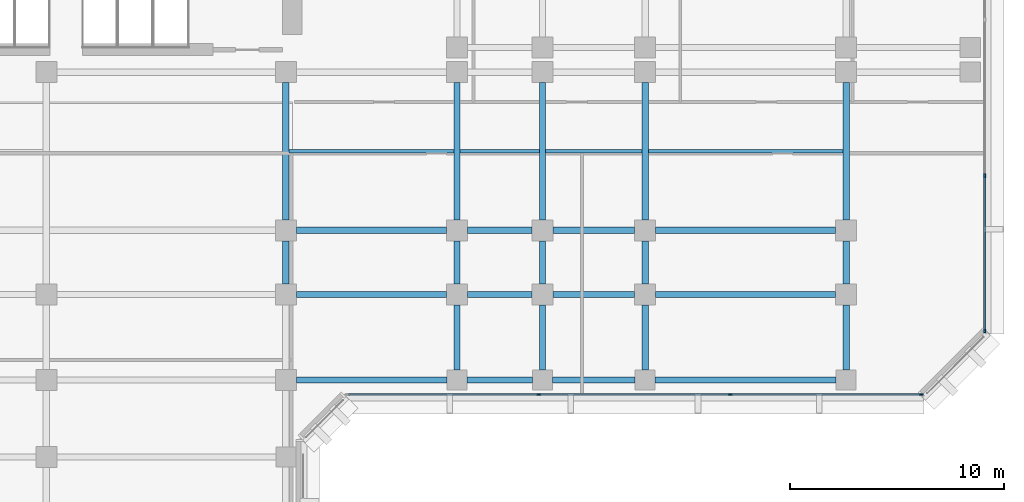
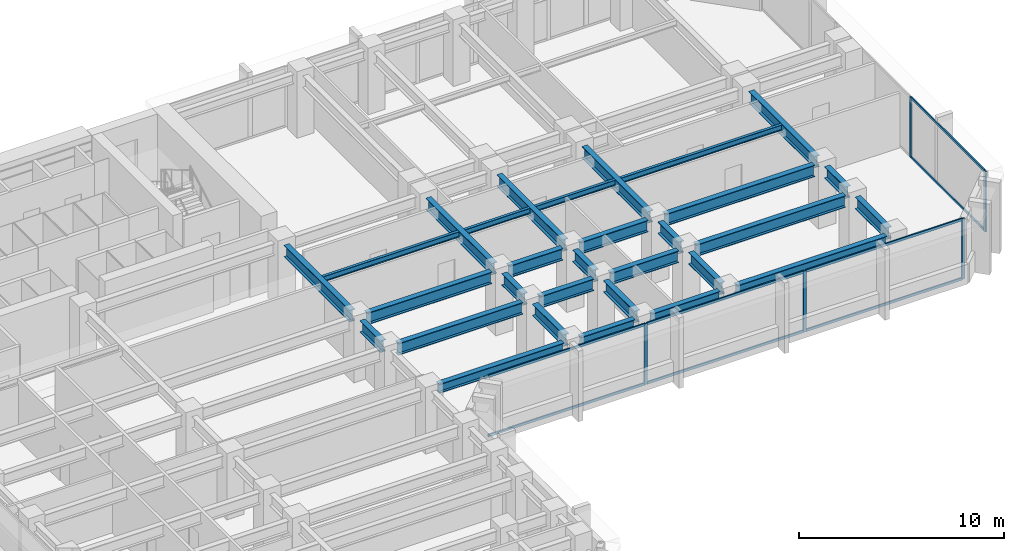
# One storey, part 3 of 13: 30 beams, 13 members, 2 elements without a shape of their own.
"""IFC4 building model written with IfcOpenShell, lengths in metres."""

import ifcopenshell
import ifcopenshell.guid

model = None  # the IFC model being written
_history = None  # IfcOwnerHistory: only IFC2X3 demands one
_inside = {}  # id of a spatial element -> (the spatial element, [elements in it])
_under = {}  # id of a project, library or spatial element -> (it, [spatial elements below it])
_declared = {}  # id of a project -> (the project, [libraries it declares])
_typed = {}  # id of a type object -> (the type object, [elements of that type])
_made_of = {}  # id of a material, layer set ... -> (it, [elements and type objects made of it])


def new_model(schema):
    """Start an empty IFC model of exactly this schema.

    Asked for "IFC4X3", IfcOpenShell would pick the latest addendum, in which some entities
    have other attributes; the version numbers below select the first issue.
    IFC2X3 requires an IfcOwnerHistory on every rooted entity: one is made here for all.
    """
    global model, _history
    if schema == "IFC4X3":
        model = ifcopenshell.file(schema_version=(4, 3, 0, 0))
    else:
        model = ifcopenshell.file(schema=schema)
    _inside.clear()
    _under.clear()
    _declared.clear()
    _typed.clear()
    _made_of.clear()
    _history = None
    if model.schema == "IFC2X3":
        org = make("IfcOrganization", Name="unknown")
        user = make(
            "IfcPersonAndOrganization",
            ThePerson=make("IfcPerson", FamilyName="unknown"),
            TheOrganization=org,
        )
        app = make(
            "IfcApplication",
            ApplicationDeveloper=org,
            Version="unknown",
            ApplicationFullName="unknown",
            ApplicationIdentifier="unknown",
        )
        _history = make(
            "IfcOwnerHistory",
            OwningUser=user,
            OwningApplication=app,
            ChangeAction="ADDED",
            CreationDate=0,
        )
    return model


def make(cls, **values):
    """One entity of the class cls with the attributes given. An attribute that is None is left unset."""
    return model.create_entity(
        cls, **{name: value for name, value in values.items() if value is not None}
    )


def rooted(cls, **values):
    """An entity with a GlobalId (a new one), such as an element, a storey or a relation."""
    return make(cls, GlobalId=ifcopenshell.guid.new(), OwnerHistory=_history, **values)


def si_unit(unit_type, name, prefix=None):
    """IfcSIUnit, for example si_unit("LENGTHUNIT", "METRE", prefix="MILLI")."""
    return make("IfcSIUnit", UnitType=unit_type, Prefix=prefix, Name=name)


def assignment(units):
    """IfcUnitAssignment: the units of a project."""
    return None if units is None else make("IfcUnitAssignment", Units=units)


def point(xyz):
    """IfcCartesianPoint."""
    return None if xyz is None else make("IfcCartesianPoint", Coordinates=xyz)


def direction(xyz):
    """IfcDirection."""
    return None if xyz is None else make("IfcDirection", DirectionRatios=xyz)


def frame(location, z_axis=None, x_axis=None):
    """IfcAxis2Placement3D, a coordinate frame: its origin and axes. An axis left out is left unset."""
    return make(
        "IfcAxis2Placement3D",
        Location=point(location),
        Axis=direction(z_axis),
        RefDirection=direction(x_axis),
    )


def frame_2d(location, x_axis=None):
    """IfcAxis2Placement2D, a coordinate frame in the plane: its origin and x axis."""
    return make(
        "IfcAxis2Placement2D", Location=point(location), RefDirection=direction(x_axis)
    )


def origin():
    """The frame at (0, 0, 0) with its axes left unset."""
    return frame((0.0, 0.0, 0.0))


def origin_2d():
    """The frame at (0, 0) in the plane with its x axis left unset."""
    return frame_2d((0.0, 0.0))


def place(relative_to, where):
    """IfcLocalPlacement: puts the frame where relative to a parent placement (None: the world)."""
    return make(
        "IfcLocalPlacement", PlacementRelTo=relative_to, RelativePlacement=where
    )


def context(
    kind, dimensions, precision=None, world=None, true_north=None, identifier=None
):
    """IfcGeometricRepresentationContext, for example the 3D "Model" context."""
    return make(
        "IfcGeometricRepresentationContext",
        ContextIdentifier=identifier,
        ContextType=kind,
        CoordinateSpaceDimension=dimensions,
        Precision=precision,
        WorldCoordinateSystem=world,
        TrueNorth=true_north,
    )


def subcontext(parent, identifier, kind, view, scale=None):
    """IfcGeometricRepresentationSubContext, for example "Body" below "Model"."""
    return make(
        "IfcGeometricRepresentationSubContext",
        ContextIdentifier=identifier,
        ContextType=kind,
        ParentContext=parent,
        TargetScale=scale,
        TargetView=view,
    )


def project(units=None, contexts=None):
    """IfcProject with its units and contexts."""
    return rooted(
        "IfcProject",
        Name="project",
        RepresentationContexts=contexts,
        UnitsInContext=assignment(units),
    )


def spatial(cls, under=None, at=None, **own):
    """A site, building, storey or space (cls), placed at a placement, below another one or the project."""
    s = rooted(cls, ObjectPlacement=at, **own)
    if under is not None:
        _under.setdefault(under.id(), (under, []))[1].append(s)
    return s


def profile(cls, at=None, kind="AREA", **sizes):
    """A parametric profile (cls). Its sizes go by their IFC names, for example OverallWidth=200.0."""
    return make(cls, ProfileType=kind, Position=at, **sizes)


def rectangle(**sizes):
    """IfcRectangleProfileDef."""
    return profile("IfcRectangleProfileDef", **sizes)


def i_section(**sizes):
    """IfcIShapeProfileDef."""
    return profile("IfcIShapeProfileDef", **sizes)


def extrude(swept, where, along, depth):
    """IfcExtrudedAreaSolid: the profile swept, set in the frame where, extruded along a direction by depth."""
    return make(
        "IfcExtrudedAreaSolid",
        SweptArea=swept,
        Position=where,
        ExtrudedDirection=direction(along),
        Depth=depth,
    )


def shape(context_of_items, identifier, shape_type, items):
    """IfcShapeRepresentation: the items that make up one representation, for example the "Body"."""
    return make(
        "IfcShapeRepresentation",
        ContextOfItems=context_of_items,
        RepresentationIdentifier=identifier,
        RepresentationType=shape_type,
        Items=items,
    )


def material(Name=None, Category=None):
    """IfcMaterial."""
    return make("IfcMaterial", Name=Name, Category=Category)


def layer(
    of_material, thickness, ventilated=None, Name=None, Category=None, Priority=None
):
    """IfcMaterialLayer: one layer of a wall or slab, of a material (None: an air gap)."""
    return make(
        "IfcMaterialLayer",
        Material=of_material,
        LayerThickness=thickness,
        IsVentilated=ventilated,
        Name=Name,
        Category=Category,
        Priority=Priority,
    )


def layer_set(layers, Name=None):
    """IfcMaterialLayerSet."""
    return make("IfcMaterialLayerSet", MaterialLayers=layers, LayerSetName=Name)


def material_profile(
    of_material, cross_section, Name=None, Category=None, Priority=None
):
    """IfcMaterialProfile: a cross section and its material."""
    return make(
        "IfcMaterialProfile",
        Name=Name,
        Material=of_material,
        Profile=cross_section,
        Priority=Priority,
        Category=Category,
    )


def profile_set(profiles, Name=None, composite=None):
    """IfcMaterialProfileSet."""
    return make(
        "IfcMaterialProfileSet",
        Name=Name,
        MaterialProfiles=profiles,
        CompositeProfile=composite,
    )


def made_of(thing, what):
    """Note that an element or type object is made of a material, layer set ...; save() writes the relation."""
    if what is not None:
        _made_of.setdefault(what.id(), (what, []))[1].append(thing)
    return thing


def type_object(cls, material=None, **own):
    """A type object (cls), such as IfcWallType, which elements share."""
    return made_of(rooted(cls, **own), material)


def element(
    cls,
    number,
    at=None,
    inside=None,
    cuts=None,
    type_object=None,
    material=None,
    context=None,
    identifier="Body",
    shape_type=None,
    held_by="IfcProductDefinitionShape",
    body=None,
    shapes=None,
    **own,
):
    """One element of the class cls, such as IfcWall. Its Tag is "e" and its number.

    at: its placement. inside: the storey or other place that contains it. cuts: it is an
    opening in that element (IfcRelVoidsElement). A single representation is given by context,
    identifier, shape_type and body (its items); several are given by shapes. held_by: the class
    of the entity that holds the representations. save() writes the other relations.
    """
    e = rooted(cls, Tag="e%d" % number, ObjectPlacement=at, **own)
    if body is not None:
        shapes = [shape(context, identifier, shape_type, body)]
    if shapes is not None:
        e.Representation = make(held_by, Representations=shapes)
    if inside is not None:
        _inside.setdefault(inside.id(), (inside, []))[1].append(e)
    if cuts is not None:
        rooted(
            "IfcRelVoidsElement", RelatingBuildingElement=cuts, RelatedOpeningElement=e
        )
    if type_object is not None:
        _typed.setdefault(type_object.id(), (type_object, []))[1].append(e)
    return made_of(e, material)


def aggregate(whole, parts):
    """IfcRelAggregates: a whole, such as a stair, and the parts it consists of."""
    return rooted("IfcRelAggregates", RelatingObject=whole, RelatedObjects=parts)


def save(model, path):
    """Write the relations noted so far, then the file.

    IfcRelAggregates (storeys below a building ...), IfcRelContainedInSpatialStructure (elements
    in a storey), IfcRelDefinesByType, IfcRelAssociatesMaterial and IfcRelDeclares: one each for
    every whole, place, type object, material and project.
    """
    for whole, parts in _under.values():
        aggregate(whole, parts)
    for where, things in _inside.values():
        rooted(
            "IfcRelContainedInSpatialStructure",
            RelatedElements=things,
            RelatingStructure=where,
        )
    for kind, things in _typed.values():
        rooted("IfcRelDefinesByType", RelatedObjects=things, RelatingType=kind)
    for what, things in _made_of.values():
        rooted("IfcRelAssociatesMaterial", RelatedObjects=things, RelatingMaterial=what)
    for by, libraries in _declared.values():
        rooted("IfcRelDeclares", RelatingContext=by, RelatedDefinitions=libraries)
    model.write(path)


model = new_model("IFC4")

# Units and contexts
model_context = context("Model", 3, precision=1e-05, world=origin(), true_north=direction((0.0, 1.0)))
body_context = subcontext(model_context, "Body", "Model", "MODEL_VIEW")
ifc_project = project(units=[si_unit("LENGTHUNIT", "METRE"), si_unit("AREAUNIT", "SQUARE_METRE"), si_unit("VOLUMEUNIT", "CUBIC_METRE"), si_unit("PLANEANGLEUNIT", "RADIAN"), si_unit("MASSUNIT", "GRAM", prefix="KILO")], contexts=[model_context])

# Site, building, storey
site_placement = place(None, origin())
site = spatial("IfcSite", under=ifc_project, at=site_placement, CompositionType="ELEMENT")
building_placement = place(site_placement, origin())
building = spatial("IfcBuilding", under=site, at=building_placement, Name="Kefirva Bronze Tower", CompositionType="ELEMENT")
storey_placement = place(building_placement, frame((0.0, 0.0, 89.760009765625)))
storey = spatial("IfcBuildingStorey", under=building, at=storey_placement, Name="L21", CompositionType="ELEMENT", Elevation=89.760009765625)

# Curtain wall, members
ifc_material_1 = material(Name="Bronze anodised aluminium", Category="aluminium")
ifc_layer = layer(ifc_material_1, 0.199951171875, Name="Bronze anodised aluminium")
ifc_layer_set = layer_set([ifc_layer], Name="Bronze anodised aluminium")
curtain_wall_type = type_object("IfcCurtainWallType", Name="Unitised Bronze Ribbon Curtain Wall Zone 1", PredefinedType="USERDEFINED", material=ifc_layer_set)
curtain_wall_1_placement = place(storey_placement, origin())
curtain_wall_1 = element("IfcCurtainWall", 1, at=curtain_wall_1_placement, inside=storey, type_object=curtain_wall_type, Name="L21 Curtain Wall 1", ObjectType="UNITISED CURTAIN WALL", PredefinedType="USERDEFINED")
ifc_material_profile_1 = material_profile(ifc_material_1, rectangle(XDim=0.074951171875, YDim=0.179931640625, at=origin_2d()), Name="ALU 75x180")
ifc_profile_set_1 = profile_set([ifc_material_profile_1], Name="Bronze anodised aluminium")
member_type_1 = type_object("IfcMemberType", Name="Bronze Mullion 75x180", PredefinedType="MULLION", material=ifc_profile_set_1)
member_1_placement = place(storey_placement, frame((35.018310546875, 18.1201171875, 0.0), z_axis=(0.0, 0.0, 1.0), x_axis=(0.0, 1.0, 0.0)))
member_1 = element("IfcMember", 2, at=member_1_placement, type_object=member_type_1, Name="CW-01 mullion 2", PredefinedType="MULLION", context=body_context, shape_type="SweptSolid", body=[
    extrude(rectangle(XDim=0.074951171875, YDim=0.179931640625, at=origin_2d()), origin(), (0.0, 0.0, 1.0), 3.610107421875),
])
member_2_placement = place(storey_placement, frame((43.981689453125, 18.1201171875, 0.0), z_axis=(0.0, 0.0, 1.0), x_axis=(0.0, 1.0, 0.0)))
member_2 = element("IfcMember", 3, at=member_2_placement, type_object=member_type_1, Name="CW-01 mullion 3", PredefinedType="MULLION", context=body_context, shape_type="SweptSolid", body=[
    extrude(rectangle(XDim=0.074951171875, YDim=0.179931640625, at=origin_2d()), origin(), (0.0, 0.0, 1.0), 3.610107421875),
])
member_3_placement = place(storey_placement, frame((52.907470703125, 18.1201171875, 0.0), z_axis=(0.0, 0.0, 1.0), x_axis=(0.0, 1.0, 0.0)))
member_3 = element("IfcMember", 4, at=member_3_placement, type_object=member_type_1, Name="CW-01 mullion 4", PredefinedType="MULLION", context=body_context, shape_type="SweptSolid", body=[
    extrude(rectangle(XDim=0.074951171875, YDim=0.179931640625, at=origin_2d()), origin(), (0.0, 0.0, 1.0), 3.610107421875),
])

curtain_wall_2_placement = place(storey_placement, origin())
curtain_wall_2 = element("IfcCurtainWall", 5, at=curtain_wall_2_placement, inside=storey, type_object=curtain_wall_type, Name="L21 Curtain Wall 2", ObjectType="UNITISED CURTAIN WALL", PredefinedType="USERDEFINED")
member_4_placement = place(storey_placement, frame((55.8798828125, 21.092529296875, 0.0), z_axis=(0.0, 0.0, 1.0), x_axis=(-1.0, 0.0, 0.0)))
member_4 = element("IfcMember", 6, at=member_4_placement, type_object=member_type_1, Name="CW-01 mullion 1", PredefinedType="MULLION", context=body_context, shape_type="SweptSolid", body=[
    extrude(rectangle(XDim=0.074951171875, YDim=0.179931640625, at=origin_2d()), origin(), (0.0, 0.0, 1.0), 3.610107421875),
])
member_5_placement = place(storey_placement, frame((55.8798828125, 28.3515625, 0.0), z_axis=(0.0, 0.0, 1.0), x_axis=(-1.0, 0.0, 0.0)))
member_5 = element("IfcMember", 7, at=member_5_placement, type_object=member_type_1, Name="CW-01 mullion 2", PredefinedType="MULLION", context=body_context, shape_type="SweptSolid", body=[
    extrude(rectangle(XDim=0.074951171875, YDim=0.179931640625, at=origin_2d()), origin(), (0.0, 0.0, 1.0), 3.610107421875),
])

# Member
ifc_material_profile_2 = material_profile(ifc_material_1, rectangle(XDim=0.074951171875, YDim=0.14990234375, at=origin_2d()), Name="ALU 75x150")
ifc_profile_set_2 = profile_set([ifc_material_profile_2], Name="Bronze anodised aluminium")
member_type_2 = type_object("IfcMemberType", Name="Bronze Transom 75x150", PredefinedType="USERDEFINED", material=ifc_profile_set_2)
member_6_placement = place(storey_placement, frame((26.1298828125, 18.1201171875, 0.03759765625), z_axis=(1.0, 0.0, 0.0), x_axis=(0.0, 1.0, 0.0)))
member_6 = element("IfcMember", 8, at=member_6_placement, type_object=member_type_2, Name="CW-01 transom 1.1", ObjectType="TRANSOM", PredefinedType="USERDEFINED", context=body_context, shape_type="SweptSolid", body=[
    extrude(rectangle(XDim=0.074951171875, YDim=0.14990234375, at=origin_2d()), origin(), (0.0, 0.0, 1.0), 8.850830078125),
])

member_7_placement = place(storey_placement, frame((26.1298828125, 18.1201171875, 3.572509765625), z_axis=(1.0, 0.0, 0.0), x_axis=(0.0, 1.0, 0.0)))
member_7 = element("IfcMember", 9, at=member_7_placement, type_object=member_type_2, Name="CW-01 transom 1.2", ObjectType="TRANSOM", PredefinedType="USERDEFINED", context=body_context, shape_type="SweptSolid", body=[
    extrude(rectangle(XDim=0.074951171875, YDim=0.14990234375, at=origin_2d()), origin(), (0.0, 0.0, 1.0), 8.850830078125),
])

member_8_placement = place(storey_placement, frame((35.055908203125, 18.1201171875, 0.03759765625), z_axis=(1.0, 0.0, 0.0), x_axis=(0.0, 1.0, 0.0)))
member_8 = element("IfcMember", 10, at=member_8_placement, type_object=member_type_2, Name="CW-01 transom 2.1", ObjectType="TRANSOM", PredefinedType="USERDEFINED", context=body_context, shape_type="SweptSolid", body=[
    extrude(rectangle(XDim=0.074951171875, YDim=0.14990234375, at=origin_2d()), origin(), (0.0, 0.0, 1.0), 8.88818359375),
])

member_9_placement = place(storey_placement, frame((35.055908203125, 18.1201171875, 3.572509765625), z_axis=(1.0, 0.0, 0.0), x_axis=(0.0, 1.0, 0.0)))
member_9 = element("IfcMember", 11, at=member_9_placement, type_object=member_type_2, Name="CW-01 transom 2.2", ObjectType="TRANSOM", PredefinedType="USERDEFINED", context=body_context, shape_type="SweptSolid", body=[
    extrude(rectangle(XDim=0.074951171875, YDim=0.14990234375, at=origin_2d()), origin(), (0.0, 0.0, 1.0), 8.88818359375),
])

member_10_placement = place(storey_placement, frame((44.019287109375, 18.1201171875, 0.03759765625), z_axis=(1.0, 0.0, 0.0), x_axis=(0.0, 1.0, 0.0)))
member_10 = element("IfcMember", 12, at=member_10_placement, type_object=member_type_2, Name="CW-01 transom 3.1", ObjectType="TRANSOM", PredefinedType="USERDEFINED", context=body_context, shape_type="SweptSolid", body=[
    extrude(rectangle(XDim=0.074951171875, YDim=0.14990234375, at=origin_2d()), origin(), (0.0, 0.0, 1.0), 8.850830078125),
])

member_11_placement = place(storey_placement, frame((44.019287109375, 18.1201171875, 3.572509765625), z_axis=(1.0, 0.0, 0.0), x_axis=(0.0, 1.0, 0.0)))
member_11 = element("IfcMember", 13, at=member_11_placement, type_object=member_type_2, Name="CW-01 transom 3.2", ObjectType="TRANSOM", PredefinedType="USERDEFINED", context=body_context, shape_type="SweptSolid", body=[
    extrude(rectangle(XDim=0.074951171875, YDim=0.14990234375, at=origin_2d()), origin(), (0.0, 0.0, 1.0), 8.850830078125),
])

aggregate(curtain_wall_1, [member_1, member_2, member_3, member_6, member_7, member_8, member_9, member_10, member_11])

member_12_placement = place(storey_placement, frame((55.8798828125, 21.1298828125, 0.03759765625), z_axis=(0.0, 1.0, 0.0), x_axis=(-1.0, 0.0, 0.0)))
member_12 = element("IfcMember", 14, at=member_12_placement, type_object=member_type_2, Name="CW-01 transom 1.1", ObjectType="TRANSOM", PredefinedType="USERDEFINED", context=body_context, shape_type="SweptSolid", body=[
    extrude(rectangle(XDim=0.074951171875, YDim=0.14990234375, at=origin_2d()), origin(), (0.0, 0.0, 1.0), 7.184326171875),
])

member_13_placement = place(storey_placement, frame((55.8798828125, 21.1298828125, 3.572509765625), z_axis=(0.0, 1.0, 0.0), x_axis=(-1.0, 0.0, 0.0)))
member_13 = element("IfcMember", 15, at=member_13_placement, type_object=member_type_2, Name="CW-01 transom 1.2", ObjectType="TRANSOM", PredefinedType="USERDEFINED", context=body_context, shape_type="SweptSolid", body=[
    extrude(rectangle(XDim=0.074951171875, YDim=0.14990234375, at=origin_2d()), origin(), (0.0, 0.0, 1.0), 7.184326171875),
])

aggregate(curtain_wall_2, [member_4, member_5, member_12, member_13])

# Beams
ifc_material_2 = material(Name="Steel S355", Category="steel")
ifc_material_profile_3 = material_profile(ifc_material_2, i_section(OverallWidth=0.159912109375, OverallDepth=0.330078125, WebThickness=0.007568359375, FlangeThickness=0.011474609375, at=origin_2d()), Name="IPE 330")
ifc_profile_set_3 = profile_set([ifc_material_profile_3], Name="Steel S355")
beam_type_1 = type_object("IfcBeamType", Name="Steel Floor Joist IPE 330", PredefinedType="JOIST", material=ifc_profile_set_3)
beam_1_placement = place(storey_placement, frame((23.35009765625, 29.5, 3.445068359375), z_axis=(1.0, 0.0, 0.0), x_axis=(0.0, 1.0, 0.0)))
element("IfcBeam", 16, at=beam_1_placement, inside=storey, type_object=beam_type_1, Name="L21 JST-L21-23-295", PredefinedType="JOIST", context=body_context, shape_type="SweptSolid", body=[
    extrude(i_section(OverallWidth=0.159912109375, OverallDepth=0.330078125, WebThickness=0.007568359375, FlangeThickness=0.011474609375, at=origin_2d()), origin(), (0.0, 0.0, 1.0), 7.699951171875),
])
beam_2_placement = place(storey_placement, frame((31.35009765625, 29.5, 3.445068359375), z_axis=(1.0, 0.0, 0.0), x_axis=(0.0, 1.0, 0.0)))
element("IfcBeam", 17, at=beam_2_placement, inside=storey, type_object=beam_type_1, Name="L21 JST-L21-31-295", PredefinedType="JOIST", context=body_context, shape_type="SweptSolid", body=[
    extrude(i_section(OverallWidth=0.159912109375, OverallDepth=0.330078125, WebThickness=0.007568359375, FlangeThickness=0.011474609375, at=origin_2d()), origin(), (0.0, 0.0, 1.0), 3.699951171875),
])
beam_3_placement = place(storey_placement, frame((35.35009765625, 29.5, 3.445068359375), z_axis=(1.0, 0.0, 0.0), x_axis=(0.0, 1.0, 0.0)))
element("IfcBeam", 18, at=beam_3_placement, inside=storey, type_object=beam_type_1, Name="L21 JST-L21-35-295", PredefinedType="JOIST", context=body_context, shape_type="SweptSolid", body=[
    extrude(i_section(OverallWidth=0.159912109375, OverallDepth=0.330078125, WebThickness=0.007568359375, FlangeThickness=0.011474609375, at=origin_2d()), origin(), (0.0, 0.0, 1.0), 4.5),
])
beam_4_placement = place(storey_placement, frame((40.14990234375, 29.5, 3.445068359375), z_axis=(1.0, 0.0, 0.0), x_axis=(0.0, 1.0, 0.0)))
element("IfcBeam", 19, at=beam_4_placement, inside=storey, type_object=beam_type_1, Name="L21 JST-L21-40-295", PredefinedType="JOIST", context=body_context, shape_type="SweptSolid", body=[
    extrude(i_section(OverallWidth=0.159912109375, OverallDepth=0.330078125, WebThickness=0.007568359375, FlangeThickness=0.011474609375, at=origin_2d()), origin(), (0.0, 0.0, 1.0), 9.10009765625),
])
ifc_material_profile_4 = material_profile(ifc_material_2, i_section(OverallWidth=0.300048828125, OverallDepth=0.699951171875, WebThickness=0.01708984375, FlangeThickness=0.031982421875, at=origin_2d()), Name="HEB 700")
ifc_profile_set_4 = profile_set([ifc_material_profile_4], Name="Steel S355")
beam_type_2 = type_object("IfcBeamType", Name="Steel Girder HEB 700", PredefinedType="USERDEFINED", material=ifc_profile_set_4)
beam_5_placement = place(storey_placement, frame((23.68994140625, 22.800048828125, 3.260009765625), z_axis=(1.0, 0.0, 0.0), x_axis=(0.0, 1.0, 0.0)))
element("IfcBeam", 20, at=beam_5_placement, inside=storey, type_object=beam_type_2, Name="L21 BM-L21-EW-23-228", ObjectType="GIRDER", PredefinedType="USERDEFINED", context=body_context, shape_type="SweptSolid", body=[
    extrude(i_section(OverallWidth=0.300048828125, OverallDepth=0.699951171875, WebThickness=0.01708984375, FlangeThickness=0.031982421875, at=origin_2d()), origin(), (0.0, 0.0, 1.0), 7.02001953125),
])
beam_6_placement = place(storey_placement, frame((31.68994140625, 22.800048828125, 3.260009765625), z_axis=(1.0, 0.0, 0.0), x_axis=(0.0, 1.0, 0.0)))
element("IfcBeam", 21, at=beam_6_placement, inside=storey, type_object=beam_type_2, Name="L21 BM-L21-EW-31-228", ObjectType="GIRDER", PredefinedType="USERDEFINED", context=body_context, shape_type="SweptSolid", body=[
    extrude(i_section(OverallWidth=0.300048828125, OverallDepth=0.699951171875, WebThickness=0.01708984375, FlangeThickness=0.031982421875, at=origin_2d()), origin(), (0.0, 0.0, 1.0), 3.02001953125),
])
beam_7_placement = place(storey_placement, frame((35.68994140625, 22.800048828125, 3.260009765625), z_axis=(1.0, 0.0, 0.0), x_axis=(0.0, 1.0, 0.0)))
element("IfcBeam", 22, at=beam_7_placement, inside=storey, type_object=beam_type_2, Name="L21 BM-L21-EW-35-228", ObjectType="GIRDER", PredefinedType="USERDEFINED", context=body_context, shape_type="SweptSolid", body=[
    extrude(i_section(OverallWidth=0.300048828125, OverallDepth=0.699951171875, WebThickness=0.01708984375, FlangeThickness=0.031982421875, at=origin_2d()), origin(), (0.0, 0.0, 1.0), 3.820068359375),
])
beam_8_placement = place(storey_placement, frame((40.489990234375, 22.800048828125, 3.260009765625), z_axis=(1.0, 0.0, 0.0), x_axis=(0.0, 1.0, 0.0)))
element("IfcBeam", 23, at=beam_8_placement, inside=storey, type_object=beam_type_2, Name="L21 BM-L21-EW-40-228", ObjectType="GIRDER", PredefinedType="USERDEFINED", context=body_context, shape_type="SweptSolid", body=[
    extrude(i_section(OverallWidth=0.300048828125, OverallDepth=0.699951171875, WebThickness=0.01708984375, FlangeThickness=0.031982421875, at=origin_2d()), origin(), (0.0, 0.0, 1.0), 8.419921875),
])
beam_9_placement = place(storey_placement, frame((23.68994140625, 25.800048828125, 3.260009765625), z_axis=(1.0, 0.0, 0.0), x_axis=(0.0, 1.0, 0.0)))
element("IfcBeam", 24, at=beam_9_placement, inside=storey, type_object=beam_type_2, Name="L21 BM-L21-EW-23-258", ObjectType="GIRDER", PredefinedType="USERDEFINED", context=body_context, shape_type="SweptSolid", body=[
    extrude(i_section(OverallWidth=0.300048828125, OverallDepth=0.699951171875, WebThickness=0.01708984375, FlangeThickness=0.031982421875, at=origin_2d()), origin(), (0.0, 0.0, 1.0), 7.02001953125),
])
beam_10_placement = place(storey_placement, frame((31.68994140625, 25.800048828125, 3.260009765625), z_axis=(1.0, 0.0, 0.0), x_axis=(0.0, 1.0, 0.0)))
element("IfcBeam", 25, at=beam_10_placement, inside=storey, type_object=beam_type_2, Name="L21 BM-L21-EW-31-258", ObjectType="GIRDER", PredefinedType="USERDEFINED", context=body_context, shape_type="SweptSolid", body=[
    extrude(i_section(OverallWidth=0.300048828125, OverallDepth=0.699951171875, WebThickness=0.01708984375, FlangeThickness=0.031982421875, at=origin_2d()), origin(), (0.0, 0.0, 1.0), 3.02001953125),
])
beam_11_placement = place(storey_placement, frame((35.68994140625, 25.800048828125, 3.260009765625), z_axis=(1.0, 0.0, 0.0), x_axis=(0.0, 1.0, 0.0)))
element("IfcBeam", 26, at=beam_11_placement, inside=storey, type_object=beam_type_2, Name="L21 BM-L21-EW-35-258", ObjectType="GIRDER", PredefinedType="USERDEFINED", context=body_context, shape_type="SweptSolid", body=[
    extrude(i_section(OverallWidth=0.300048828125, OverallDepth=0.699951171875, WebThickness=0.01708984375, FlangeThickness=0.031982421875, at=origin_2d()), origin(), (0.0, 0.0, 1.0), 3.820068359375),
])
beam_12_placement = place(storey_placement, frame((40.489990234375, 25.800048828125, 3.260009765625), z_axis=(1.0, 0.0, 0.0), x_axis=(0.0, 1.0, 0.0)))
element("IfcBeam", 27, at=beam_12_placement, inside=storey, type_object=beam_type_2, Name="L21 BM-L21-EW-40-258", ObjectType="GIRDER", PredefinedType="USERDEFINED", context=body_context, shape_type="SweptSolid", body=[
    extrude(i_section(OverallWidth=0.300048828125, OverallDepth=0.699951171875, WebThickness=0.01708984375, FlangeThickness=0.031982421875, at=origin_2d()), origin(), (0.0, 0.0, 1.0), 8.419921875),
])
beam_13_placement = place(storey_placement, frame((23.199951171875, 23.2900390625, 3.260009765625), z_axis=(0.0, 1.0, 0.0), x_axis=(-1.0, 0.0, 0.0)))
element("IfcBeam", 28, at=beam_13_placement, inside=storey, type_object=beam_type_2, Name="L21 BM-L21-NS-232-22", ObjectType="GIRDER", PredefinedType="USERDEFINED", context=body_context, shape_type="SweptSolid", body=[
    extrude(i_section(OverallWidth=0.300048828125, OverallDepth=0.699951171875, WebThickness=0.01708984375, FlangeThickness=0.031982421875, at=origin_2d()), origin(), (0.0, 0.0, 1.0), 2.02001953125),
])
beam_14_placement = place(storey_placement, frame((23.199951171875, 26.2900390625, 3.260009765625), z_axis=(0.0, 1.0, 0.0), x_axis=(-1.0, 0.0, 0.0)))
element("IfcBeam", 29, at=beam_14_placement, inside=storey, type_object=beam_type_2, Name="L21 BM-L21-NS-232-25", ObjectType="GIRDER", PredefinedType="USERDEFINED", context=body_context, shape_type="SweptSolid", body=[
    extrude(i_section(OverallWidth=0.300048828125, OverallDepth=0.699951171875, WebThickness=0.01708984375, FlangeThickness=0.031982421875, at=origin_2d()), origin(), (0.0, 0.0, 1.0), 6.419921875),
])
beam_15_placement = place(storey_placement, frame((31.199951171875, 19.27001953125, 3.260009765625), z_axis=(0.0, 1.0, 0.0), x_axis=(-1.0, 0.0, 0.0)))
element("IfcBeam", 30, at=beam_15_placement, inside=storey, type_object=beam_type_2, Name="L21 BM-L21-NS-312-18", ObjectType="GIRDER", PredefinedType="USERDEFINED", context=body_context, shape_type="SweptSolid", body=[
    extrude(i_section(OverallWidth=0.300048828125, OverallDepth=0.699951171875, WebThickness=0.01708984375, FlangeThickness=0.031982421875, at=origin_2d()), origin(), (0.0, 0.0, 1.0), 3.0400390625),
])
beam_16_placement = place(storey_placement, frame((31.199951171875, 23.2900390625, 3.260009765625), z_axis=(0.0, 1.0, 0.0), x_axis=(-1.0, 0.0, 0.0)))
element("IfcBeam", 31, at=beam_16_placement, inside=storey, type_object=beam_type_2, Name="L21 BM-L21-NS-312-22", ObjectType="GIRDER", PredefinedType="USERDEFINED", context=body_context, shape_type="SweptSolid", body=[
    extrude(i_section(OverallWidth=0.300048828125, OverallDepth=0.699951171875, WebThickness=0.01708984375, FlangeThickness=0.031982421875, at=origin_2d()), origin(), (0.0, 0.0, 1.0), 2.02001953125),
])
beam_17_placement = place(storey_placement, frame((31.199951171875, 26.2900390625, 3.260009765625), z_axis=(0.0, 1.0, 0.0), x_axis=(-1.0, 0.0, 0.0)))
element("IfcBeam", 32, at=beam_17_placement, inside=storey, type_object=beam_type_2, Name="L21 BM-L21-NS-312-25", ObjectType="GIRDER", PredefinedType="USERDEFINED", context=body_context, shape_type="SweptSolid", body=[
    extrude(i_section(OverallWidth=0.300048828125, OverallDepth=0.699951171875, WebThickness=0.01708984375, FlangeThickness=0.031982421875, at=origin_2d()), origin(), (0.0, 0.0, 1.0), 6.419921875),
])
beam_18_placement = place(storey_placement, frame((35.199951171875, 19.27001953125, 3.260009765625), z_axis=(0.0, 1.0, 0.0), x_axis=(-1.0, 0.0, 0.0)))
element("IfcBeam", 33, at=beam_18_placement, inside=storey, type_object=beam_type_2, Name="L21 BM-L21-NS-352-18", ObjectType="GIRDER", PredefinedType="USERDEFINED", context=body_context, shape_type="SweptSolid", body=[
    extrude(i_section(OverallWidth=0.300048828125, OverallDepth=0.699951171875, WebThickness=0.01708984375, FlangeThickness=0.031982421875, at=origin_2d()), origin(), (0.0, 0.0, 1.0), 3.0400390625),
])
beam_19_placement = place(storey_placement, frame((35.199951171875, 23.2900390625, 3.260009765625), z_axis=(0.0, 1.0, 0.0), x_axis=(-1.0, 0.0, 0.0)))
element("IfcBeam", 34, at=beam_19_placement, inside=storey, type_object=beam_type_2, Name="L21 BM-L21-NS-352-22", ObjectType="GIRDER", PredefinedType="USERDEFINED", context=body_context, shape_type="SweptSolid", body=[
    extrude(i_section(OverallWidth=0.300048828125, OverallDepth=0.699951171875, WebThickness=0.01708984375, FlangeThickness=0.031982421875, at=origin_2d()), origin(), (0.0, 0.0, 1.0), 2.02001953125),
])
beam_20_placement = place(storey_placement, frame((35.199951171875, 26.2900390625, 3.260009765625), z_axis=(0.0, 1.0, 0.0), x_axis=(-1.0, 0.0, 0.0)))
element("IfcBeam", 35, at=beam_20_placement, inside=storey, type_object=beam_type_2, Name="L21 BM-L21-NS-352-25", ObjectType="GIRDER", PredefinedType="USERDEFINED", context=body_context, shape_type="SweptSolid", body=[
    extrude(i_section(OverallWidth=0.300048828125, OverallDepth=0.699951171875, WebThickness=0.01708984375, FlangeThickness=0.031982421875, at=origin_2d()), origin(), (0.0, 0.0, 1.0), 6.419921875),
])
beam_21_placement = place(storey_placement, frame((40.0, 19.27001953125, 3.260009765625), z_axis=(0.0, 1.0, 0.0), x_axis=(-1.0, 0.0, 0.0)))
element("IfcBeam", 36, at=beam_21_placement, inside=storey, type_object=beam_type_2, Name="L21 BM-L21-NS-400-18", ObjectType="GIRDER", PredefinedType="USERDEFINED", context=body_context, shape_type="SweptSolid", body=[
    extrude(i_section(OverallWidth=0.300048828125, OverallDepth=0.699951171875, WebThickness=0.01708984375, FlangeThickness=0.031982421875, at=origin_2d()), origin(), (0.0, 0.0, 1.0), 3.0400390625),
])
beam_22_placement = place(storey_placement, frame((40.0, 23.2900390625, 3.260009765625), z_axis=(0.0, 1.0, 0.0), x_axis=(-1.0, 0.0, 0.0)))
element("IfcBeam", 37, at=beam_22_placement, inside=storey, type_object=beam_type_2, Name="L21 BM-L21-NS-400-22", ObjectType="GIRDER", PredefinedType="USERDEFINED", context=body_context, shape_type="SweptSolid", body=[
    extrude(i_section(OverallWidth=0.300048828125, OverallDepth=0.699951171875, WebThickness=0.01708984375, FlangeThickness=0.031982421875, at=origin_2d()), origin(), (0.0, 0.0, 1.0), 2.02001953125),
])
beam_23_placement = place(storey_placement, frame((40.0, 26.2900390625, 3.260009765625), z_axis=(0.0, 1.0, 0.0), x_axis=(-1.0, 0.0, 0.0)))
element("IfcBeam", 38, at=beam_23_placement, inside=storey, type_object=beam_type_2, Name="L21 BM-L21-NS-400-25", ObjectType="GIRDER", PredefinedType="USERDEFINED", context=body_context, shape_type="SweptSolid", body=[
    extrude(i_section(OverallWidth=0.300048828125, OverallDepth=0.699951171875, WebThickness=0.01708984375, FlangeThickness=0.031982421875, at=origin_2d()), origin(), (0.0, 0.0, 1.0), 6.419921875),
])
beam_24_placement = place(storey_placement, frame((49.39990234375, 19.27001953125, 3.260009765625), z_axis=(0.0, 1.0, 0.0), x_axis=(-1.0, 0.0, 0.0)))
element("IfcBeam", 39, at=beam_24_placement, inside=storey, type_object=beam_type_2, Name="L21 BM-L21-NS-494-18", ObjectType="GIRDER", PredefinedType="USERDEFINED", context=body_context, shape_type="SweptSolid", body=[
    extrude(i_section(OverallWidth=0.300048828125, OverallDepth=0.699951171875, WebThickness=0.01708984375, FlangeThickness=0.031982421875, at=origin_2d()), origin(), (0.0, 0.0, 1.0), 3.0400390625),
])
beam_25_placement = place(storey_placement, frame((49.39990234375, 23.2900390625, 3.260009765625), z_axis=(0.0, 1.0, 0.0), x_axis=(-1.0, 0.0, 0.0)))
element("IfcBeam", 40, at=beam_25_placement, inside=storey, type_object=beam_type_2, Name="L21 BM-L21-NS-494-22", ObjectType="GIRDER", PredefinedType="USERDEFINED", context=body_context, shape_type="SweptSolid", body=[
    extrude(i_section(OverallWidth=0.300048828125, OverallDepth=0.699951171875, WebThickness=0.01708984375, FlangeThickness=0.031982421875, at=origin_2d()), origin(), (0.0, 0.0, 1.0), 2.02001953125),
])
beam_26_placement = place(storey_placement, frame((49.39990234375, 26.2900390625, 3.260009765625), z_axis=(0.0, 1.0, 0.0), x_axis=(-1.0, 0.0, 0.0)))
element("IfcBeam", 41, at=beam_26_placement, inside=storey, type_object=beam_type_2, Name="L21 BM-L21-NS-494-25", ObjectType="GIRDER", PredefinedType="USERDEFINED", context=body_context, shape_type="SweptSolid", body=[
    extrude(i_section(OverallWidth=0.300048828125, OverallDepth=0.699951171875, WebThickness=0.01708984375, FlangeThickness=0.031982421875, at=origin_2d()), origin(), (0.0, 0.0, 1.0), 6.419921875),
])
ifc_material_profile_5 = material_profile(ifc_material_2, i_section(OverallWidth=0.300048828125, OverallDepth=0.550048828125, WebThickness=0.014892578125, FlangeThickness=0.029052734375, at=origin_2d()), Name="HEB 550")
ifc_profile_set_5 = profile_set([ifc_material_profile_5], Name="Steel S355")
beam_type_3 = type_object("IfcBeamType", Name="Steel Spandrel HEB 550 Ext", PredefinedType="SPANDREL", material=ifc_profile_set_5)
beam_27_placement = place(storey_placement, frame((23.68994140625, 18.800048828125, 3.3349609375), z_axis=(1.0, 0.0, 0.0), x_axis=(0.0, 1.0, 0.0)))
element("IfcBeam", 42, at=beam_27_placement, inside=storey, type_object=beam_type_3, Name="L21 BM-L21-EW-23-188", PredefinedType="SPANDREL", context=body_context, shape_type="SweptSolid", body=[
    extrude(i_section(OverallWidth=0.300048828125, OverallDepth=0.550048828125, WebThickness=0.014892578125, FlangeThickness=0.029052734375, at=origin_2d()), origin(), (0.0, 0.0, 1.0), 7.0400390625),
])
beam_28_placement = place(storey_placement, frame((31.669921875, 18.800048828125, 3.3349609375), z_axis=(1.0, 0.0, 0.0), x_axis=(0.0, 1.0, 0.0)))
element("IfcBeam", 43, at=beam_28_placement, inside=storey, type_object=beam_type_3, Name="L21 BM-L21-EW-31-188", PredefinedType="SPANDREL", context=body_context, shape_type="SweptSolid", body=[
    extrude(i_section(OverallWidth=0.300048828125, OverallDepth=0.550048828125, WebThickness=0.014892578125, FlangeThickness=0.029052734375, at=origin_2d()), origin(), (0.0, 0.0, 1.0), 3.06005859375),
])
beam_29_placement = place(storey_placement, frame((35.669921875, 18.800048828125, 3.3349609375), z_axis=(1.0, 0.0, 0.0), x_axis=(0.0, 1.0, 0.0)))
element("IfcBeam", 44, at=beam_29_placement, inside=storey, type_object=beam_type_3, Name="L21 BM-L21-EW-35-188", PredefinedType="SPANDREL", context=body_context, shape_type="SweptSolid", body=[
    extrude(i_section(OverallWidth=0.300048828125, OverallDepth=0.550048828125, WebThickness=0.014892578125, FlangeThickness=0.029052734375, at=origin_2d()), origin(), (0.0, 0.0, 1.0), 3.860107421875),
])
beam_30_placement = place(storey_placement, frame((40.469970703125, 18.800048828125, 3.3349609375), z_axis=(1.0, 0.0, 0.0), x_axis=(0.0, 1.0, 0.0)))
element("IfcBeam", 45, at=beam_30_placement, inside=storey, type_object=beam_type_3, Name="L21 BM-L21-EW-40-188", PredefinedType="SPANDREL", context=body_context, shape_type="SweptSolid", body=[
    extrude(i_section(OverallWidth=0.300048828125, OverallDepth=0.550048828125, WebThickness=0.014892578125, FlangeThickness=0.029052734375, at=origin_2d()), origin(), (0.0, 0.0, 1.0), 8.4599609375),
])

save(model, "model.ifc")
